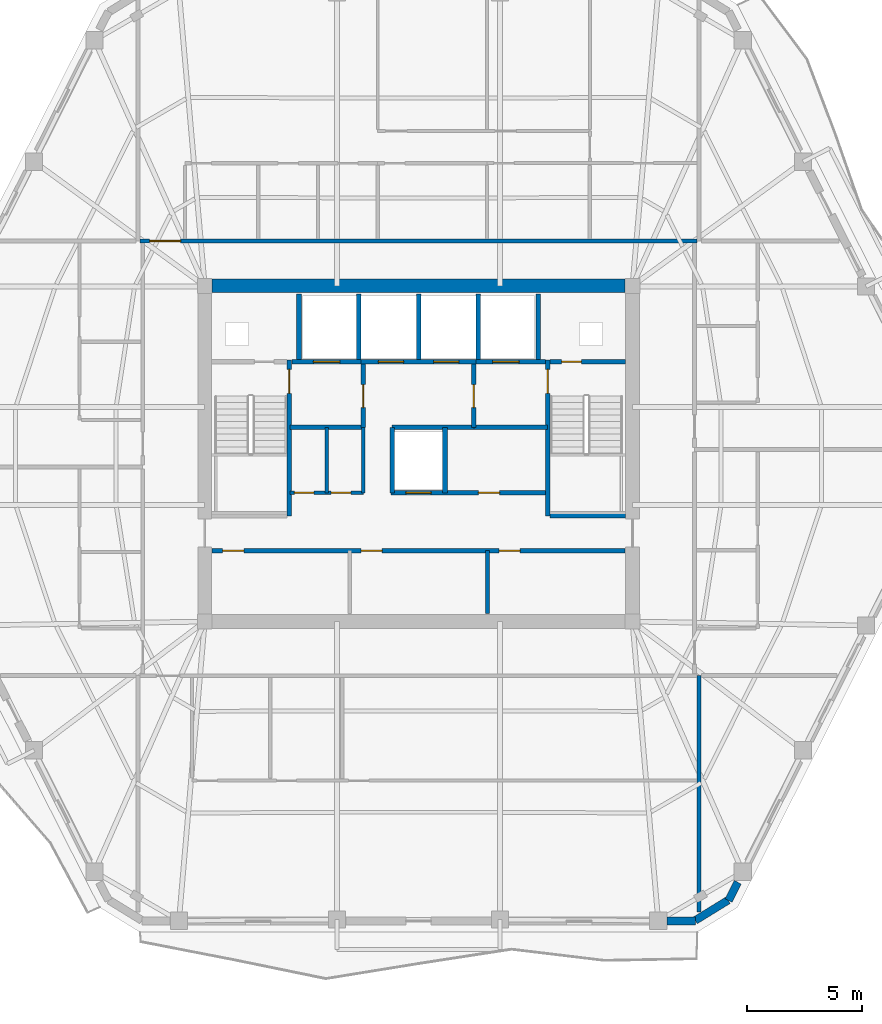
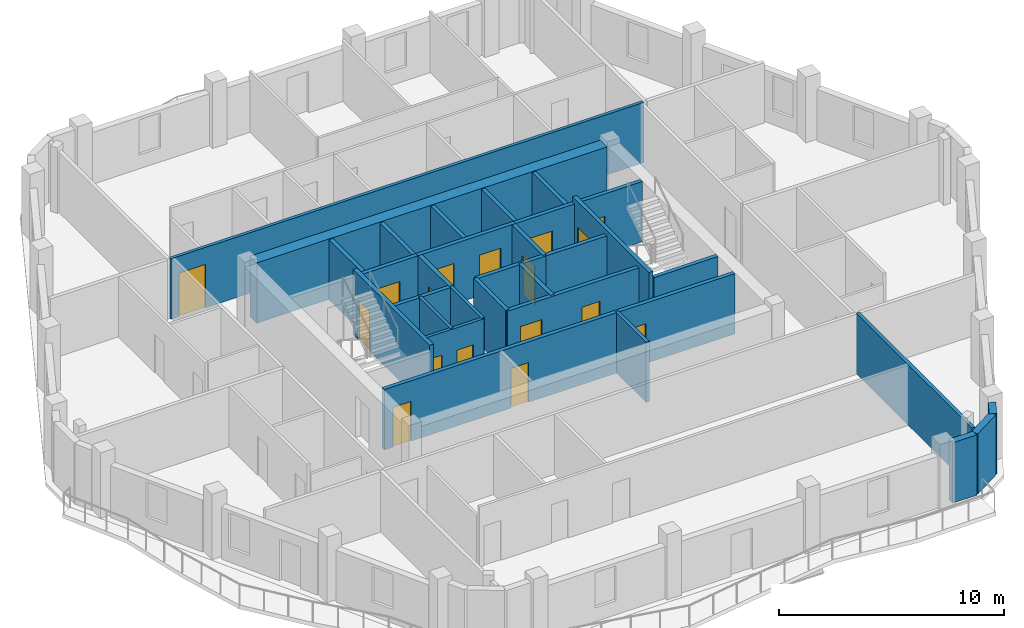
# One storey, part 5 of 10: 31 walls, 17 doors, 17 openings.
"""IFC4 building model written with IfcOpenShell, lengths in metres."""

from ifc_helpers import new_model, si_unit, direction, frame, frame_2d, origin, place, context, subcontext, project, spatial, rectangle, extrude, material, layer, layer_set, type_object, element, fill, save


model = new_model("IFC4")

# Units and contexts
model_context = context("Model", 3, precision=1e-05, world=origin(), true_north=direction((0.0, 1.0)))
body_context = subcontext(model_context, "Body", "Model", "MODEL_VIEW")
ifc_project = project(units=[si_unit("LENGTHUNIT", "METRE"), si_unit("AREAUNIT", "SQUARE_METRE"), si_unit("VOLUMEUNIT", "CUBIC_METRE"), si_unit("PLANEANGLEUNIT", "RADIAN"), si_unit("MASSUNIT", "GRAM", prefix="KILO")], contexts=[model_context])

# Site, building, storey
site_placement = place(None, origin())
site = spatial("IfcSite", under=ifc_project, at=site_placement, CompositionType="ELEMENT")
building_placement = place(site_placement, origin())
building = spatial("IfcBuilding", under=site, at=building_placement, Name="Cinnabar Lancet Tower", CompositionType="ELEMENT")
storey_placement = place(building_placement, frame((0.0, 0.0, 218.050048828125)))
storey = spatial("IfcBuildingStorey", under=building, at=storey_placement, Name="L58", CompositionType="ELEMENT", Elevation=218.050048828125)

# Wall, openings, doors
ifc_material_1 = material(Name="Acoustic twin-stud gypsum partition", Category="gypsum")
ifc_layer_1 = layer(ifc_material_1, 0.159912109375)
ifc_layer_set_1 = layer_set([ifc_layer_1], Name="Acoustic twin-stud gypsum partition")
wall_type_1 = type_object("IfcWallType", Name="ARC-WL-CORR-160", PredefinedType="PARTITIONING", material=ifc_layer_set_1)
wall_1_placement = place(storey_placement, frame((26.800048828125, 24.199951171875, 0.0), z_axis=(0.0, 0.0, 1.0), x_axis=(1.0, 0.0, 0.0)))
wall_1 = element("IfcWall", 1, at=wall_1_placement, inside=storey, type_object=wall_type_1, Name="CW-REC5S-L58", PredefinedType="PARTITIONING", context=body_context, shape_type="SweptSolid", body=[
    extrude(rectangle(XDim=3.199951171875, YDim=0.159912109375, at=frame_2d((1.60009765625, 0.0))), origin(), (0.0, 0.0, 1.0), 3.27001953125),
])
opening_1_placement = place(wall_1_placement, frame((0.199951171875, 0.0, 0.0)))
opening_1 = element("IfcOpeningElement", 2, at=opening_1_placement, cuts=wall_1, Name="Opening PD-02", PredefinedType="OPENING", context=body_context, shape_type="SweptSolid", body=[
    extrude(rectangle(XDim=0.85009765625, YDim=2.050048828125, at=frame_2d((0.425048828125, 1.02490234375))), frame((0.0, 0.08984375, 0.0), z_axis=(0.0, -1.0, 0.0), x_axis=(1.0, 0.0, 0.0)), (0.0, 0.0, 1.0), 0.179931640625),
])
opening_2_placement = place(wall_1_placement, frame((1.800048828125, 0.0, 0.0)))
opening_2 = element("IfcOpeningElement", 3, at=opening_2_placement, cuts=wall_1, Name="Opening PD-02", PredefinedType="OPENING", context=body_context, shape_type="SweptSolid", body=[
    extrude(rectangle(XDim=0.85009765625, YDim=2.050048828125, at=frame_2d((0.425048828125, 1.02490234375))), frame((0.0, 0.08984375, 0.0), z_axis=(0.0, -1.0, 0.0), x_axis=(1.0, 0.0, 0.0)), (0.0, 0.0, 1.0), 0.179931640625),
])
ifc_material_2 = material(Name="Fire-rated steel riser access door", Category="steel")
door_type_1 = type_object("IfcDoorType", Name="ARC-DR-RISER", OperationType="NOTDEFINED", PredefinedType="DOOR", material=ifc_material_2)
door_1_placement = place(opening_1_placement, origin())
door_1 = element("IfcDoor", 4, at=door_1_placement, inside=storey, type_object=door_type_1, Name="DR-L58-REC5A", OperationType="SINGLE_SWING_LEFT", OverallHeight=2.050048828125, OverallWidth=0.85009765625, PredefinedType="DOOR", context=body_context, shape_type="SweptSolid", body=[
    extrude(rectangle(XDim=0.85009765625, YDim=2.050048828125, at=frame_2d((0.425048828125, 1.02490234375))), frame((0.0, 0.02490234375, 0.0), z_axis=(0.0, -1.0, 0.0), x_axis=(1.0, 0.0, 0.0)), (0.0, 0.0, 1.0), 0.050048828125),
])
fill(opening_1, door_1)
door_2_placement = place(opening_2_placement, origin())
door_2 = element("IfcDoor", 5, at=door_2_placement, inside=storey, type_object=door_type_1, Name="DR-L58-REC5B", OperationType="SINGLE_SWING_RIGHT", OverallHeight=2.050048828125, OverallWidth=0.85009765625, PredefinedType="DOOR", context=body_context, shape_type="SweptSolid", body=[
    extrude(rectangle(XDim=0.85009765625, YDim=2.050048828125, at=frame_2d((0.425048828125, 1.02490234375))), frame((0.0, 0.02490234375, 0.0), z_axis=(0.0, -1.0, 0.0), x_axis=(1.0, 0.0, 0.0)), (0.0, 0.0, 1.0), 0.050048828125),
])
fill(opening_2, door_2)

# Walls
for number, where, z_axis, x_axis, name in (
    (6, (30.0, 24.199951171875, 0.0), (0.0, 0.0, 1.0), (0.0, 1.0, 0.0), "CW-REC5E-L58"),
    (7, (28.39990234375, 24.199951171875, 0.0), (0.0, 0.0, 1.0), (0.0, 1.0, 0.0), "CW-REC5D-L58"),
):
    element("IfcWall", number, at=place(storey_placement, frame(where, z_axis=z_axis, x_axis=x_axis)), inside=storey, type_object=wall_type_1, Name=name, PredefinedType="PARTITIONING", context=body_context, shape_type="SweptSolid", body=[
        extrude(rectangle(XDim=2.85009765625, YDim=0.159912109375, at=frame_2d((1.425048828125, 0.0))), origin(), (0.0, 0.0, 1.0), 3.27001953125),
    ])
wall_2_placement = place(storey_placement, frame((35.39990234375, 18.949951171875, 0.0), z_axis=(0.0, 0.0, 1.0), x_axis=(0.0, 1.0, 0.0)))
element("IfcWall", 8, at=wall_2_placement, inside=storey, type_object=wall_type_1, Name="CW-SB-3540-L58", PredefinedType="PARTITIONING", context=body_context, shape_type="SweptSolid", body=[
    extrude(rectangle(XDim=2.72998046875, YDim=0.159912109375, at=frame_2d((1.364990234375, 0.0))), origin(), (0.0, 0.0, 1.0), 3.27001953125),
])

# Wall, opening, door
wall_3_placement = place(storey_placement, frame((20.294921875, 35.14990234375, 0.0), z_axis=(0.0, 0.0, 1.0), x_axis=(1.0, 0.0, 0.0)))
wall_3 = element("IfcWall", 9, at=wall_3_placement, inside=storey, type_object=wall_type_1, Name="L58 Unit N01 Corridor Wall", PredefinedType="PARTITIONING", context=body_context, shape_type="SweptSolid", body=[
    extrude(rectangle(XDim=24.2099609375, YDim=0.159912109375, at=frame_2d((12.10498046875, 0.0))), origin(), (0.0, 0.0, 1.0), 3.27001953125),
])
opening_3_placement = place(wall_3_placement, frame((0.405029296875, 0.0, 0.0)))
opening_3 = element("IfcOpeningElement", 10, at=opening_3_placement, cuts=wall_3, Name="Opening UD-02", PredefinedType="OPENING", context=body_context, shape_type="SweptSolid", body=[
    extrude(rectangle(XDim=1.35009765625, YDim=2.35009765625, at=frame_2d((0.675048828125, 1.175048828125))), frame((0.0, 0.08984375, 0.0), z_axis=(0.0, -1.0, 0.0), x_axis=(1.0, 0.0, 0.0)), (0.0, 0.0, 1.0), 0.179931640625),
])
ifc_material_3 = material(Name="Double-leaf solid timber penthouse entrance door", Category="wood")
door_type_2 = type_object("IfcDoorType", Name="ARC-DR-UNIT-PH", OperationType="NOTDEFINED", PredefinedType="DOOR", material=ifc_material_3)
door_3_placement = place(opening_3_placement, origin())
door_3 = element("IfcDoor", 11, at=door_3_placement, inside=storey, type_object=door_type_2, Name="DR-L58-N01-ENT", OperationType="SINGLE_SWING_RIGHT", OverallHeight=2.35009765625, OverallWidth=1.35009765625, PredefinedType="DOOR", context=body_context, shape_type="SweptSolid", body=[
    extrude(rectangle(XDim=1.35009765625, YDim=2.35009765625, at=frame_2d((0.675048828125, 1.175048828125))), frame((0.0, 0.02490234375, 0.0), z_axis=(0.0, -1.0, 0.0), x_axis=(1.0, 0.0, 0.0)), (0.0, 0.0, 1.0), 0.050048828125),
])
fill(opening_3, door_3)

# Walls
ifc_material_4 = material(Name="Fire-rated twin-frame acoustic drywall", Category="gypsum")
ifc_layer_2 = layer(ifc_material_4, 0.179931640625)
ifc_layer_set_2 = layer_set([ifc_layer_2], Name="Fire-rated twin-frame acoustic drywall")
wall_type_2 = type_object("IfcWallType", Name="ARC-WL-PARTY-180", PredefinedType="PARTITIONING", material=ifc_layer_set_2)
wall_4_placement = place(storey_placement, frame((44.60009765625, 5.968017578125, 0.0), z_axis=(0.0, 0.0, 1.0), x_axis=(0.0, 1.0, 0.0)))
element("IfcWall", 12, at=wall_4_placement, inside=storey, type_object=wall_type_2, Name="PW-L58-SPTY-446", PredefinedType="PARTITIONING", context=body_context, shape_type="SweptSolid", body=[
    extrude(rectangle(XDim=10.281982421875, YDim=0.179931640625, at=frame_2d((5.14111328125, 0.0))), origin(), (0.0, 0.0, 1.0), 3.27001953125),
])
ifc_material_5 = material(Name="Autoclaved aerated concrete blockwork", Category="masonry")
ifc_layer_3 = layer(ifc_material_5, 0.199951171875)
ifc_layer_set_3 = layer_set([ifc_layer_3], Name="Autoclaved aerated concrete blockwork")
wall_type_3 = type_object("IfcWallType", Name="ARC-WL-SHAFT-200", PredefinedType="PLUMBINGWALL", material=ifc_layer_set_3)
wall_5_placement = place(storey_placement, frame((38.125, 23.199951171875, 0.0), z_axis=(0.0, 0.0, 1.0), x_axis=(1.0, 0.0, 0.0)))
element("IfcWall", 13, at=wall_5_placement, inside=storey, type_object=wall_type_3, Name="CW-ST2S-L58", PredefinedType="PLUMBINGWALL", context=body_context, shape_type="SweptSolid", body=[
    extrude(rectangle(XDim=3.27001953125, YDim=0.199951171875, at=frame_2d((1.635009765625, 0.0))), origin(), (0.0, 0.0, 1.0), 3.27001953125),
])

# Wall, opening, door
wall_6_placement = place(storey_placement, frame((26.885009765625, 29.89990234375, 0.0), z_axis=(0.0, 0.0, 1.0), x_axis=(1.0, 0.0, 0.0)))
wall_6 = element("IfcWall", 14, at=wall_6_placement, inside=storey, type_object=wall_type_3, Name="CW-FL1-L58", PredefinedType="PLUMBINGWALL", context=body_context, shape_type="SweptSolid", body=[
    extrude(rectangle(XDim=3.014892578125, YDim=0.199951171875, at=frame_2d((1.50732421875, 0.0))), origin(), (0.0, 0.0, 1.0), 3.27001953125),
])
opening_4_placement = place(wall_6_placement, frame((0.93994140625, 0.0, 0.0)))
opening_4 = element("IfcOpeningElement", 15, at=opening_4_placement, cuts=wall_6, Name="Opening LD-02", PredefinedType="OPENING", context=body_context, shape_type="SweptSolid", body=[
    extrude(rectangle(XDim=1.14990234375, YDim=2.199951171875, at=frame_2d((0.574951171875, 1.10009765625))), frame((0.0, 0.10986328125, 0.0), z_axis=(0.0, -1.0, 0.0), x_axis=(1.0, 0.0, 0.0)), (0.0, 0.0, 1.0), 0.219970703125),
])
ifc_material_6 = material(Name="Fire-rated stainless steel firefighting lift landing door", Category="steel")
door_type_3 = type_object("IfcDoorType", Name="ARC-DR-LD-FIRE", OperationType="NOTDEFINED", PredefinedType="DOOR", material=ifc_material_6)
door_4_placement = place(opening_4_placement, origin())
door_4 = element("IfcDoor", 16, at=door_4_placement, inside=storey, type_object=door_type_3, Name="L58 Firefighting Lift FL-1 Landing Door", OperationType="DOUBLE_DOOR_SLIDING", OverallHeight=2.199951171875, OverallWidth=1.14990234375, PredefinedType="DOOR", context=body_context, shape_type="SweptSolid", body=[
    extrude(rectangle(XDim=1.14990234375, YDim=2.199951171875, at=frame_2d((0.574951171875, 1.10009765625))), frame((0.0, 0.02490234375, 0.0), z_axis=(0.0, -1.0, 0.0), x_axis=(1.0, 0.0, 0.0)), (0.0, 0.0, 1.0), 0.050048828125),
])
fill(opening_4, door_4)

# Wall, openings, doors
wall_7_placement = place(storey_placement, frame((29.89990234375, 29.89990234375, 0.0), z_axis=(0.0, 0.0, 1.0), x_axis=(1.0, 0.0, 0.0)))
wall_7 = element("IfcWall", 17, at=wall_7_placement, inside=storey, type_object=wall_type_3, Name="CW-PL78-L58", PredefinedType="PLUMBINGWALL", context=body_context, shape_type="SweptSolid", body=[
    extrude(rectangle(XDim=5.0, YDim=0.199951171875, at=frame_2d((2.5, 0.0))), origin(), (0.0, 0.0, 1.0), 3.27001953125),
])
opening_5_placement = place(wall_7_placement, frame((0.75, 0.0, 0.0)))
opening_5 = element("IfcOpeningElement", 18, at=opening_5_placement, cuts=wall_7, Name="Opening LD-01", PredefinedType="OPENING", context=body_context, shape_type="SweptSolid", body=[
    extrude(rectangle(XDim=1.10009765625, YDim=2.199951171875, at=frame_2d((0.550048828125, 1.10009765625))), frame((0.0, 0.10986328125, 0.0), z_axis=(0.0, -1.0, 0.0), x_axis=(1.0, 0.0, 0.0)), (0.0, 0.0, 1.0), 0.219970703125),
])
opening_6_placement = place(wall_7_placement, frame((3.14990234375, 0.0, 0.0)))
opening_6 = element("IfcOpeningElement", 19, at=opening_6_placement, cuts=wall_7, Name="Opening LD-01", PredefinedType="OPENING", context=body_context, shape_type="SweptSolid", body=[
    extrude(rectangle(XDim=1.10009765625, YDim=2.199951171875, at=frame_2d((0.550048828125, 1.10009765625))), frame((0.0, 0.10986328125, 0.0), z_axis=(0.0, -1.0, 0.0), x_axis=(1.0, 0.0, 0.0)), (0.0, 0.0, 1.0), 0.219970703125),
])
ifc_material_7 = material(Name="Brushed stainless steel sliding lift door", Category="steel")
door_type_4 = type_object("IfcDoorType", Name="ARC-DR-LD-PASS", OperationType="NOTDEFINED", PredefinedType="DOOR", material=ifc_material_7)
door_5_placement = place(opening_5_placement, origin())
door_5 = element("IfcDoor", 20, at=door_5_placement, inside=storey, type_object=door_type_4, Name="L58 Lift PL-7 Landing Door", OperationType="DOUBLE_DOOR_SLIDING", OverallHeight=2.199951171875, OverallWidth=1.10009765625, PredefinedType="DOOR", context=body_context, shape_type="SweptSolid", body=[
    extrude(rectangle(XDim=1.10009765625, YDim=2.199951171875, at=frame_2d((0.550048828125, 1.10009765625))), frame((0.0, 0.02490234375, 0.0), z_axis=(0.0, -1.0, 0.0), x_axis=(1.0, 0.0, 0.0)), (0.0, 0.0, 1.0), 0.050048828125),
])
fill(opening_5, door_5)
door_6_placement = place(opening_6_placement, origin())
door_6 = element("IfcDoor", 21, at=door_6_placement, inside=storey, type_object=door_type_4, Name="L58 Lift PL-8 Landing Door", OperationType="DOUBLE_DOOR_SLIDING", OverallHeight=2.199951171875, OverallWidth=1.10009765625, PredefinedType="DOOR", context=body_context, shape_type="SweptSolid", body=[
    extrude(rectangle(XDim=1.10009765625, YDim=2.199951171875, at=frame_2d((0.550048828125, 1.10009765625))), frame((0.0, 0.02490234375, 0.0), z_axis=(0.0, -1.0, 0.0), x_axis=(1.0, 0.0, 0.0)), (0.0, 0.0, 1.0), 0.050048828125),
])
fill(opening_6, door_6)

# Wall, opening, door
wall_8_placement = place(storey_placement, frame((34.89990234375, 29.89990234375, 0.0), z_axis=(0.0, 0.0, 1.0), x_axis=(1.0, 0.0, 0.0)))
wall_8 = element("IfcWall", 22, at=wall_8_placement, inside=storey, type_object=wall_type_3, Name="CW-FL2-L58", PredefinedType="PLUMBINGWALL", context=body_context, shape_type="SweptSolid", body=[
    extrude(rectangle(XDim=3.01513671875, YDim=0.199951171875, at=frame_2d((1.507568359375, 0.0))), origin(), (0.0, 0.0, 1.0), 3.27001953125),
])
opening_7_placement = place(wall_8_placement, frame((0.72509765625, 0.0, 0.0)))
opening_7 = element("IfcOpeningElement", 23, at=opening_7_placement, cuts=wall_8, Name="Opening LD-02", PredefinedType="OPENING", context=body_context, shape_type="SweptSolid", body=[
    extrude(rectangle(XDim=1.14990234375, YDim=2.199951171875, at=frame_2d((0.574951171875, 1.10009765625))), frame((0.0, 0.10986328125, 0.0), z_axis=(0.0, -1.0, 0.0), x_axis=(1.0, 0.0, 0.0)), (0.0, 0.0, 1.0), 0.219970703125),
])
door_7_placement = place(opening_7_placement, origin())
door_7 = element("IfcDoor", 24, at=door_7_placement, inside=storey, type_object=door_type_3, Name="L58 Firefighting Lift FL-2 Landing Door", OperationType="DOUBLE_DOOR_SLIDING", OverallHeight=2.199951171875, OverallWidth=1.14990234375, PredefinedType="DOOR", context=body_context, shape_type="SweptSolid", body=[
    extrude(rectangle(XDim=1.14990234375, YDim=2.199951171875, at=frame_2d((0.574951171875, 1.10009765625))), frame((0.0, 0.02490234375, 0.0), z_axis=(0.0, -1.0, 0.0), x_axis=(1.0, 0.0, 0.0)), (0.0, 0.0, 1.0), 0.050048828125),
])
fill(opening_7, door_7)

wall_9_placement = place(storey_placement, frame((38.125, 29.89990234375, 0.0), z_axis=(0.0, 0.0, 1.0), x_axis=(1.0, 0.0, 0.0)))
wall_9 = element("IfcWall", 25, at=wall_9_placement, inside=storey, type_object=wall_type_3, Name="CW-NSH-E-L58", PredefinedType="PLUMBINGWALL", context=body_context, shape_type="SweptSolid", body=[
    extrude(rectangle(XDim=3.27001953125, YDim=0.199951171875, at=frame_2d((1.635009765625, 0.0))), origin(), (0.0, 0.0, 1.0), 3.27001953125),
])
opening_8_placement = place(wall_9_placement, frame((0.5, 0.0, 0.0)))
opening_8 = element("IfcOpeningElement", 26, at=opening_8_placement, cuts=wall_9, Name="Opening PD-02", PredefinedType="OPENING", context=body_context, shape_type="SweptSolid", body=[
    extrude(rectangle(XDim=0.85009765625, YDim=2.050048828125, at=frame_2d((0.425048828125, 1.02490234375))), frame((0.0, 0.10986328125, 0.0), z_axis=(0.0, -1.0, 0.0), x_axis=(1.0, 0.0, 0.0)), (0.0, 0.0, 1.0), 0.219970703125),
])
door_8_placement = place(opening_8_placement, origin())
door_8 = element("IfcDoor", 27, at=door_8_placement, inside=storey, type_object=door_type_1, Name="L58 East Riser Access Door", OperationType="SINGLE_SWING_RIGHT", OverallHeight=2.050048828125, OverallWidth=0.85009765625, PredefinedType="DOOR", context=body_context, shape_type="SweptSolid", body=[
    extrude(rectangle(XDim=0.85009765625, YDim=2.050048828125, at=frame_2d((0.425048828125, 1.02490234375))), frame((0.0, 0.02490234375, 0.0), z_axis=(0.0, -1.0, 0.0), x_axis=(1.0, 0.0, 0.0)), (0.0, 0.0, 1.0), 0.050048828125),
])
fill(opening_8, door_8)

# Walls
for number, where, z_axis, x_axis, name in (
    (28, (27.199951171875, 30.0, 0.0), (0.0, 0.0, 1.0), (0.0, 1.0, 0.0), "CW-NSH-D1-L58"),
    (29, (29.800048828125, 30.0, 0.0), (0.0, 0.0, 1.0), (0.0, 1.0, 0.0), "CW-NSH-D2-L58"),
    (30, (32.39990234375, 30.0, 0.0), (0.0, 0.0, 1.0), (0.0, 1.0, 0.0), "CW-NSH-D3-L58"),
    (31, (35.0, 30.0, 0.0), (0.0, 0.0, 1.0), (0.0, 1.0, 0.0), "CW-NSH-D4-L58"),
    (32, (37.60009765625, 30.0, 0.0), (0.0, 0.0, 1.0), (0.0, 1.0, 0.0), "CW-NSH-D5-L58"),
):
    element("IfcWall", number, at=place(storey_placement, frame(where, z_axis=z_axis, x_axis=x_axis)), inside=storey, type_object=wall_type_3, Name=name, PredefinedType="PLUMBINGWALL", context=body_context, shape_type="SweptSolid", body=[
        extrude(rectangle(XDim=2.85009765625, YDim=0.199951171875, at=frame_2d((1.425048828125, 0.0))), origin(), (0.0, 0.0, 1.0), 3.27001953125),
    ])

# Wall, opening, door
wall_10_placement = place(storey_placement, frame((30.0, 27.050048828125, 0.0), z_axis=(0.0, 0.0, 1.0), x_axis=(0.0, 1.0, 0.0)))
wall_10 = element("IfcWall", 33, at=wall_10_placement, inside=storey, type_object=wall_type_3, Name="CW-FF1E-L58", PredefinedType="PLUMBINGWALL", context=body_context, shape_type="SweptSolid", body=[
    extrude(rectangle(XDim=2.75, YDim=0.199951171875, at=frame_2d((1.375, 0.0))), origin(), (0.0, 0.0, 1.0), 3.27001953125),
])
opening_9_placement = place(wall_10_placement, frame((0.85009765625, 0.0, 0.0)))
opening_9 = element("IfcOpeningElement", 34, at=opening_9_placement, cuts=wall_10, Name="Opening FD-01", PredefinedType="OPENING", context=body_context, shape_type="SweptSolid", body=[
    extrude(rectangle(XDim=1.0, YDim=2.14990234375, at=frame_2d((0.5, 1.074951171875))), frame((0.0, 0.10986328125, 0.0), z_axis=(0.0, -1.0, 0.0), x_axis=(1.0, 0.0, 0.0)), (0.0, 0.0, 1.0), 0.219970703125),
])
ifc_material_8 = material(Name="Fire-rated timber-core lobby door", Category="wood")
door_type_5 = type_object("IfcDoorType", Name="ARC-DR-FFAL", OperationType="NOTDEFINED", PredefinedType="DOOR", material=ifc_material_8)
door_9_placement = place(opening_9_placement, origin())
door_9 = element("IfcDoor", 35, at=door_9_placement, inside=storey, type_object=door_type_5, Name="L58 FFAL-1 Lobby Fire Door", OperationType="SINGLE_SWING_RIGHT", OverallHeight=2.14990234375, OverallWidth=1.0, PredefinedType="DOOR", context=body_context, shape_type="SweptSolid", body=[
    extrude(rectangle(XDim=1.0, YDim=2.14990234375, at=frame_2d((0.5, 1.074951171875))), frame((0.0, 0.02490234375, 0.0), z_axis=(0.0, -1.0, 0.0), x_axis=(1.0, 0.0, 0.0)), (0.0, 0.0, 1.0), 0.050048828125),
])
fill(opening_9, door_9)

# Wall
wall_11_placement = place(storey_placement, frame((26.800048828125, 27.050048828125, 0.0), z_axis=(0.0, 0.0, 1.0), x_axis=(1.0, 0.0, 0.0)))
element("IfcWall", 36, at=wall_11_placement, inside=storey, type_object=wall_type_3, Name="CW-FF1S-L58", PredefinedType="PLUMBINGWALL", context=body_context, shape_type="SweptSolid", body=[
    extrude(rectangle(XDim=3.199951171875, YDim=0.199951171875, at=frame_2d((1.60009765625, 0.0))), origin(), (0.0, 0.0, 1.0), 3.27001953125),
])

# Wall, opening, door
wall_12_placement = place(storey_placement, frame((34.800048828125, 27.050048828125, 0.0), z_axis=(0.0, 0.0, 1.0), x_axis=(0.0, 1.0, 0.0)))
wall_12 = element("IfcWall", 37, at=wall_12_placement, inside=storey, type_object=wall_type_3, Name="CW-FF2W-L58", PredefinedType="PLUMBINGWALL", context=body_context, shape_type="SweptSolid", body=[
    extrude(rectangle(XDim=2.75, YDim=0.199951171875, at=frame_2d((1.375, 0.0))), origin(), (0.0, 0.0, 1.0), 3.27001953125),
])
opening_10_placement = place(wall_12_placement, frame((0.85009765625, 0.0, 0.0)))
opening_10 = element("IfcOpeningElement", 38, at=opening_10_placement, cuts=wall_12, Name="Opening FD-01", PredefinedType="OPENING", context=body_context, shape_type="SweptSolid", body=[
    extrude(rectangle(XDim=1.0, YDim=2.14990234375, at=frame_2d((0.5, 1.074951171875))), frame((0.0, 0.10986328125, 0.0), z_axis=(0.0, -1.0, 0.0), x_axis=(1.0, 0.0, 0.0)), (0.0, 0.0, 1.0), 0.219970703125),
])
door_10_placement = place(opening_10_placement, origin())
door_10 = element("IfcDoor", 39, at=door_10_placement, inside=storey, type_object=door_type_5, Name="L58 FFAL-2 Lobby Fire Door", OperationType="SINGLE_SWING_LEFT", OverallHeight=2.14990234375, OverallWidth=1.0, PredefinedType="DOOR", context=body_context, shape_type="SweptSolid", body=[
    extrude(rectangle(XDim=1.0, YDim=2.14990234375, at=frame_2d((0.5, 1.074951171875))), frame((0.0, 0.02490234375, 0.0), z_axis=(0.0, -1.0, 0.0), x_axis=(1.0, 0.0, 0.0)), (0.0, 0.0, 1.0), 0.050048828125),
])
fill(opening_10, door_10)

# Wall
wall_13_placement = place(storey_placement, frame((34.800048828125, 27.050048828125, 0.0), z_axis=(0.0, 0.0, 1.0), x_axis=(1.0, 0.0, 0.0)))
element("IfcWall", 40, at=wall_13_placement, inside=storey, type_object=wall_type_3, Name="CW-FF2S-L58", PredefinedType="PLUMBINGWALL", context=body_context, shape_type="SweptSolid", body=[
    extrude(rectangle(XDim=3.199951171875, YDim=0.199951171875, at=frame_2d((1.60009765625, 0.0))), origin(), (0.0, 0.0, 1.0), 3.27001953125),
])

# Wall, openings, doors
wall_14_placement = place(storey_placement, frame((31.199951171875, 24.199951171875, 0.0), z_axis=(0.0, 0.0, 1.0), x_axis=(1.0, 0.0, 0.0)))
wall_14 = element("IfcWall", 41, at=wall_14_placement, inside=storey, type_object=wall_type_3, Name="CW-PL96S-L58", PredefinedType="PLUMBINGWALL", context=body_context, shape_type="SweptSolid", body=[
    extrude(rectangle(XDim=6.800048828125, YDim=0.199951171875, at=frame_2d((3.39990234375, 0.0))), origin(), (0.0, 0.0, 1.0), 3.27001953125),
])
opening_11_placement = place(wall_14_placement, frame((0.64990234375, 0.0, 0.0)))
opening_11 = element("IfcOpeningElement", 42, at=opening_11_placement, cuts=wall_14, Name="Opening LD-01", PredefinedType="OPENING", context=body_context, shape_type="SweptSolid", body=[
    extrude(rectangle(XDim=1.10009765625, YDim=2.199951171875, at=frame_2d((0.550048828125, 1.10009765625))), frame((0.0, 0.10986328125, 0.0), z_axis=(0.0, -1.0, 0.0), x_axis=(1.0, 0.0, 0.0)), (0.0, 0.0, 1.0), 0.219970703125),
])
opening_12_placement = place(wall_14_placement, frame((3.800048828125, 0.0, 0.0)))
opening_12 = element("IfcOpeningElement", 43, at=opening_12_placement, cuts=wall_14, Name="Opening RD-01", PredefinedType="OPENING", context=body_context, shape_type="SweptSolid", body=[
    extrude(rectangle(XDim=0.919921875, YDim=2.14990234375, at=frame_2d((0.4599609375, 1.074951171875))), frame((0.0, 0.10986328125, 0.0), z_axis=(0.0, -1.0, 0.0), x_axis=(1.0, 0.0, 0.0)), (0.0, 0.0, 1.0), 0.219970703125),
])
door_11_placement = place(opening_11_placement, origin())
door_11 = element("IfcDoor", 44, at=door_11_placement, inside=storey, type_object=door_type_4, Name="L58 Lift PL-9 Landing Door", OperationType="DOUBLE_DOOR_SLIDING", OverallHeight=2.199951171875, OverallWidth=1.10009765625, PredefinedType="DOOR", context=body_context, shape_type="SweptSolid", body=[
    extrude(rectangle(XDim=1.10009765625, YDim=2.199951171875, at=frame_2d((0.550048828125, 1.10009765625))), frame((0.0, 0.02490234375, 0.0), z_axis=(0.0, -1.0, 0.0), x_axis=(1.0, 0.0, 0.0)), (0.0, 0.0, 1.0), 0.050048828125),
])
fill(opening_11, door_11)
ifc_material_9 = material(Name="Engineered timber bedroom door", Category="wood")
door_type_6 = type_object("IfcDoorType", Name="ARC-DR-ROOM", OperationType="NOTDEFINED", PredefinedType="DOOR", material=ifc_material_9)
door_12_placement = place(opening_12_placement, origin())
door_12 = element("IfcDoor", 45, at=door_12_placement, inside=storey, type_object=door_type_6, Name="DR-L58-REC6", OperationType="SINGLE_SWING_RIGHT", OverallHeight=2.14990234375, OverallWidth=0.919921875, PredefinedType="DOOR", context=body_context, shape_type="SweptSolid", body=[
    extrude(rectangle(XDim=0.919921875, YDim=2.14990234375, at=frame_2d((0.4599609375, 1.074951171875))), frame((0.0, 0.02490234375, 0.0), z_axis=(0.0, -1.0, 0.0), x_axis=(1.0, 0.0, 0.0)), (0.0, 0.0, 1.0), 0.050048828125),
])
fill(opening_12, door_12)

# Walls
for number, where, z_axis, x_axis, name in (
    (46, (31.25, 24.199951171875, 0.0), (0.0, 0.0, 1.0), (0.0, 1.0, 0.0), "CW-PL9W-L58"),
    (47, (33.550048828125, 24.199951171875, 0.0), (0.0, 0.0, 1.0), (0.0, 1.0, 0.0), "CW-PL9E-L58"),
):
    element("IfcWall", number, at=place(storey_placement, frame(where, z_axis=z_axis, x_axis=x_axis)), inside=storey, type_object=wall_type_3, Name=name, PredefinedType="PLUMBINGWALL", context=body_context, shape_type="SweptSolid", body=[
        extrude(rectangle(XDim=2.85009765625, YDim=0.199951171875, at=frame_2d((1.425048828125, 0.0))), origin(), (0.0, 0.0, 1.0), 3.27001953125),
    ])
wall_15_placement = place(storey_placement, frame((31.25, 27.050048828125, 0.0), z_axis=(0.0, 0.0, 1.0), x_axis=(1.0, 0.0, 0.0)))
element("IfcWall", 48, at=wall_15_placement, inside=storey, type_object=wall_type_3, Name="CW-PL96N-L58", PredefinedType="PLUMBINGWALL", context=body_context, shape_type="SweptSolid", body=[
    extrude(rectangle(XDim=3.550048828125, YDim=0.199951171875, at=frame_2d((1.77490234375, 0.0))), origin(), (0.0, 0.0, 1.0), 3.27001953125),
])

# Wall, openings, doors
wall_16_placement = place(storey_placement, frame((23.419921875, 21.679931640625, 0.0), z_axis=(0.0, 0.0, 1.0), x_axis=(1.0, 0.0, 0.0)))
wall_16 = element("IfcWall", 49, at=wall_16_placement, inside=storey, type_object=wall_type_3, Name="CW-SBANDN-L58", PredefinedType="PLUMBINGWALL", context=body_context, shape_type="SweptSolid", body=[
    extrude(rectangle(XDim=17.9599609375, YDim=0.199951171875, at=frame_2d((8.97998046875, 0.0))), origin(), (0.0, 0.0, 1.0), 3.27001953125),
])
opening_13_placement = place(wall_16_placement, frame((0.4599609375, 0.0, 0.0)))
opening_13 = element("IfcOpeningElement", 50, at=opening_13_placement, cuts=wall_16, Name="Opening RD-01", PredefinedType="OPENING", context=body_context, shape_type="SweptSolid", body=[
    extrude(rectangle(XDim=0.919921875, YDim=2.14990234375, at=frame_2d((0.4599609375, 1.074951171875))), frame((0.0, 0.10986328125, 0.0), z_axis=(0.0, -1.0, 0.0), x_axis=(1.0, 0.0, 0.0)), (0.0, 0.0, 1.0), 0.219970703125),
])
opening_14_placement = place(wall_16_placement, frame((6.47998046875, 0.0, 0.0)))
opening_14 = element("IfcOpeningElement", 51, at=opening_14_placement, cuts=wall_16, Name="Opening RD-01", PredefinedType="OPENING", context=body_context, shape_type="SweptSolid", body=[
    extrude(rectangle(XDim=0.919921875, YDim=2.14990234375, at=frame_2d((0.4599609375, 1.074951171875))), frame((0.0, 0.10986328125, 0.0), z_axis=(0.0, -1.0, 0.0), x_axis=(1.0, 0.0, 0.0)), (0.0, 0.0, 1.0), 0.219970703125),
])
opening_15_placement = place(wall_16_placement, frame((12.47998046875, 0.0, 0.0)))
opening_15 = element("IfcOpeningElement", 52, at=opening_15_placement, cuts=wall_16, Name="Opening RD-01", PredefinedType="OPENING", context=body_context, shape_type="SweptSolid", body=[
    extrude(rectangle(XDim=0.919921875, YDim=2.14990234375, at=frame_2d((0.4599609375, 1.074951171875))), frame((0.0, 0.10986328125, 0.0), z_axis=(0.0, -1.0, 0.0), x_axis=(1.0, 0.0, 0.0)), (0.0, 0.0, 1.0), 0.219970703125),
])
door_13_placement = place(opening_13_placement, origin())
door_13 = element("IfcDoor", 53, at=door_13_placement, inside=storey, type_object=door_type_6, Name="DR-L58-HREC1", OperationType="SINGLE_SWING_LEFT", OverallHeight=2.14990234375, OverallWidth=0.919921875, PredefinedType="DOOR", context=body_context, shape_type="SweptSolid", body=[
    extrude(rectangle(XDim=0.919921875, YDim=2.14990234375, at=frame_2d((0.4599609375, 1.074951171875))), frame((0.0, 0.02490234375, 0.0), z_axis=(0.0, -1.0, 0.0), x_axis=(1.0, 0.0, 0.0)), (0.0, 0.0, 1.0), 0.050048828125),
])
fill(opening_13, door_13)
door_14_placement = place(opening_14_placement, origin())
door_14 = element("IfcDoor", 54, at=door_14_placement, inside=storey, type_object=door_type_6, Name="DR-L58-HREC2", OperationType="SINGLE_SWING_RIGHT", OverallHeight=2.14990234375, OverallWidth=0.919921875, PredefinedType="DOOR", context=body_context, shape_type="SweptSolid", body=[
    extrude(rectangle(XDim=0.919921875, YDim=2.14990234375, at=frame_2d((0.4599609375, 1.074951171875))), frame((0.0, 0.02490234375, 0.0), z_axis=(0.0, -1.0, 0.0), x_axis=(1.0, 0.0, 0.0)), (0.0, 0.0, 1.0), 0.050048828125),
])
fill(opening_14, door_14)
door_15_placement = place(opening_15_placement, origin())
door_15 = element("IfcDoor", 55, at=door_15_placement, inside=storey, type_object=door_type_6, Name="DR-L58-HREC3", OperationType="SINGLE_SWING_LEFT", OverallHeight=2.14990234375, OverallWidth=0.919921875, PredefinedType="DOOR", context=body_context, shape_type="SweptSolid", body=[
    extrude(rectangle(XDim=0.919921875, YDim=2.14990234375, at=frame_2d((0.4599609375, 1.074951171875))), frame((0.0, 0.02490234375, 0.0), z_axis=(0.0, -1.0, 0.0), x_axis=(1.0, 0.0, 0.0)), (0.0, 0.0, 1.0), 0.050048828125),
])
fill(opening_15, door_15)

# Walls
ifc_material_10 = material(Name="Cinnabar red clay brick", Category="masonry")
ifc_layer_4 = layer(ifc_material_10, 0.340087890625)
ifc_layer_set_4 = layer_set([ifc_layer_4], Name="Cinnabar red clay brick")
wall_type_4 = type_object("IfcWallType", Name="ENV-WL-BRK-RED-340", PredefinedType="STANDARD", material=ifc_layer_set_4)
wall_17_placement = place(storey_placement, frame((44.43310546875, 5.60498046875, 0.0), z_axis=(0.0, 0.0, 1.0), x_axis=(0.851778214877, 0.523902541185, 0.0)))
element("IfcWall", 56, at=wall_17_placement, inside=storey, type_object=wall_type_4, Name="L58 Chamfered Corner Brick Pier 2.1", PredefinedType="STANDARD", context=body_context, shape_type="SweptSolid", body=[
    extrude(rectangle(XDim=1.677734375, YDim=0.340087890625, at=frame_2d((0.8388671875, 0.0))), origin(), (0.0, 0.0, 1.0), 3.27001953125),
])
wall_18_placement = place(storey_placement, frame((43.199951171875, 5.580078125, 0.0), z_axis=(0.0, 0.0, 1.0), x_axis=(1.0, 0.0, 0.0)))
element("IfcWall", 57, at=wall_18_placement, inside=storey, type_object=wall_type_4, Name="L58 Face 1 Masonry Bay Wall 5", PredefinedType="STANDARD", context=body_context, shape_type="SweptSolid", body=[
    extrude(rectangle(XDim=1.238037109375, YDim=0.340087890625, at=frame_2d((0.619140625, 0.0))), origin(), (0.0, 0.0, 1.0), 3.27001953125),
])
wall_19_placement = place(storey_placement, frame((45.882080078125, 6.468017578125, 0.0), z_axis=(0.0, 0.0, 1.0), x_axis=(0.451597983141, 0.892221531697, 0.0)))
element("IfcWall", 58, at=wall_19_placement, inside=storey, type_object=wall_type_4, Name="L58 Face 2 Masonry Bay Wall 1", PredefinedType="STANDARD", context=body_context, shape_type="SweptSolid", body=[
    extrude(rectangle(XDim=0.889892578125, YDim=0.340087890625, at=frame_2d((0.44482421875, 0.0))), origin(), (0.0, 0.0, 1.0), 3.27001953125),
])
ifc_material_11 = material(Name="Concrete C60/75", Category="concrete")
ifc_layer_5 = layer(ifc_material_11, 0.60009765625)
ifc_layer_set_5 = layer_set([ifc_layer_5], Name="Concrete C60/75")
wall_type_5 = type_object("IfcWallType", Name="STR-WL-CORE-600", PredefinedType="SHEAR", material=ifc_layer_set_5)
wall_20_placement = place(storey_placement, frame((23.425048828125, 33.199951171875, 0.0), z_axis=(0.0, 0.0, 1.0), x_axis=(1.0, 0.0, 0.0)))
element("IfcWall", 59, at=wall_20_placement, inside=storey, type_object=wall_type_5, Name="L58 Core Shear Wall N", PredefinedType="SHEAR", context=body_context, shape_type="SweptSolid", body=[
    extrude(rectangle(XDim=17.949951171875, YDim=0.60009765625, at=frame_2d((8.97509765625, 0.0))), origin(), (0.0, 0.0, 1.0), 3.27001953125),
])

# Wall, opening, door
ifc_material_12 = material(Name="Concrete C50/60", Category="concrete")
ifc_layer_6 = layer(ifc_material_12, 0.199951171875)
ifc_layer_set_6 = layer_set([ifc_layer_6], Name="Concrete C50/60")
wall_type_6 = type_object("IfcWallType", Name="STR-WL-STAIR-200", PredefinedType="SHEAR", material=ifc_layer_set_6)
wall_21_placement = place(storey_placement, frame((26.780029296875, 23.199951171875, 0.0), z_axis=(0.0, 0.0, 1.0), x_axis=(0.0, 1.0, 0.0)))
wall_21 = element("IfcWall", 60, at=wall_21_placement, inside=storey, type_object=wall_type_6, Name="L58 Stair ST-1 Structural Enclosure Wall", PredefinedType="SHEAR", context=body_context, shape_type="SweptSolid", body=[
    extrude(rectangle(XDim=6.780029296875, YDim=0.199951171875, at=frame_2d((3.39013671875, 0.0))), origin(), (0.0, 0.0, 1.0), 3.550048828125),
])
opening_16_placement = place(wall_21_placement, frame((5.320068359375, 0.0, 0.0)))
opening_16 = element("IfcOpeningElement", 61, at=opening_16_placement, cuts=wall_21, Name="Opening SD-01", PredefinedType="OPENING", context=body_context, shape_type="SweptSolid", body=[
    extrude(rectangle(XDim=1.050048828125, YDim=2.14990234375, at=frame_2d((0.52490234375, 1.074951171875))), frame((0.0, 0.10986328125, 0.0), z_axis=(0.0, -1.0, 0.0), x_axis=(1.0, 0.0, 0.0)), (0.0, 0.0, 1.0), 0.219970703125),
])
ifc_material_13 = material(Name="Fire-rated steel stair exit door", Category="steel")
door_type_7 = type_object("IfcDoorType", Name="ARC-DR-STAIR", OperationType="NOTDEFINED", PredefinedType="DOOR", material=ifc_material_13)
door_16_placement = place(opening_16_placement, origin())
door_16 = element("IfcDoor", 62, at=door_16_placement, inside=storey, type_object=door_type_7, Name="L58 Stair ST-1 Fire Door", OperationType="SINGLE_SWING_LEFT", OverallHeight=2.14990234375, OverallWidth=1.050048828125, PredefinedType="DOOR", context=body_context, shape_type="SweptSolid", body=[
    extrude(rectangle(XDim=1.050048828125, YDim=2.14990234375, at=frame_2d((0.52490234375, 1.074951171875))), frame((0.0, 0.02490234375, 0.0), z_axis=(0.0, -1.0, 0.0), x_axis=(1.0, 0.0, 0.0)), (0.0, 0.0, 1.0), 0.050048828125),
])
fill(opening_16, door_16)

wall_22_placement = place(storey_placement, frame((38.02001953125, 23.199951171875, 0.0), z_axis=(0.0, 0.0, 1.0), x_axis=(0.0, 1.0, 0.0)))
wall_22 = element("IfcWall", 63, at=wall_22_placement, inside=storey, type_object=wall_type_6, Name="L58 Stair ST-2 Structural Enclosure Wall", PredefinedType="SHEAR", context=body_context, shape_type="SweptSolid", body=[
    extrude(rectangle(XDim=6.780029296875, YDim=0.199951171875, at=frame_2d((3.39013671875, 0.0))), origin(), (0.0, 0.0, 1.0), 3.550048828125),
])
opening_17_placement = place(wall_22_placement, frame((5.320068359375, 0.0, 0.0)))
opening_17 = element("IfcOpeningElement", 64, at=opening_17_placement, cuts=wall_22, Name="Opening SD-01", PredefinedType="OPENING", context=body_context, shape_type="SweptSolid", body=[
    extrude(rectangle(XDim=1.050048828125, YDim=2.14990234375, at=frame_2d((0.52490234375, 1.074951171875))), frame((0.0, 0.10986328125, 0.0), z_axis=(0.0, -1.0, 0.0), x_axis=(1.0, 0.0, 0.0)), (0.0, 0.0, 1.0), 0.219970703125),
])
door_17_placement = place(opening_17_placement, origin())
door_17 = element("IfcDoor", 65, at=door_17_placement, inside=storey, type_object=door_type_7, Name="L58 Stair ST-2 Fire Door", OperationType="SINGLE_SWING_RIGHT", OverallHeight=2.14990234375, OverallWidth=1.050048828125, PredefinedType="DOOR", context=body_context, shape_type="SweptSolid", body=[
    extrude(rectangle(XDim=1.050048828125, YDim=2.14990234375, at=frame_2d((0.52490234375, 1.074951171875))), frame((0.0, 0.02490234375, 0.0), z_axis=(0.0, -1.0, 0.0), x_axis=(1.0, 0.0, 0.0)), (0.0, 0.0, 1.0), 0.050048828125),
])
fill(opening_17, door_17)

save(model, "model.ifc")
